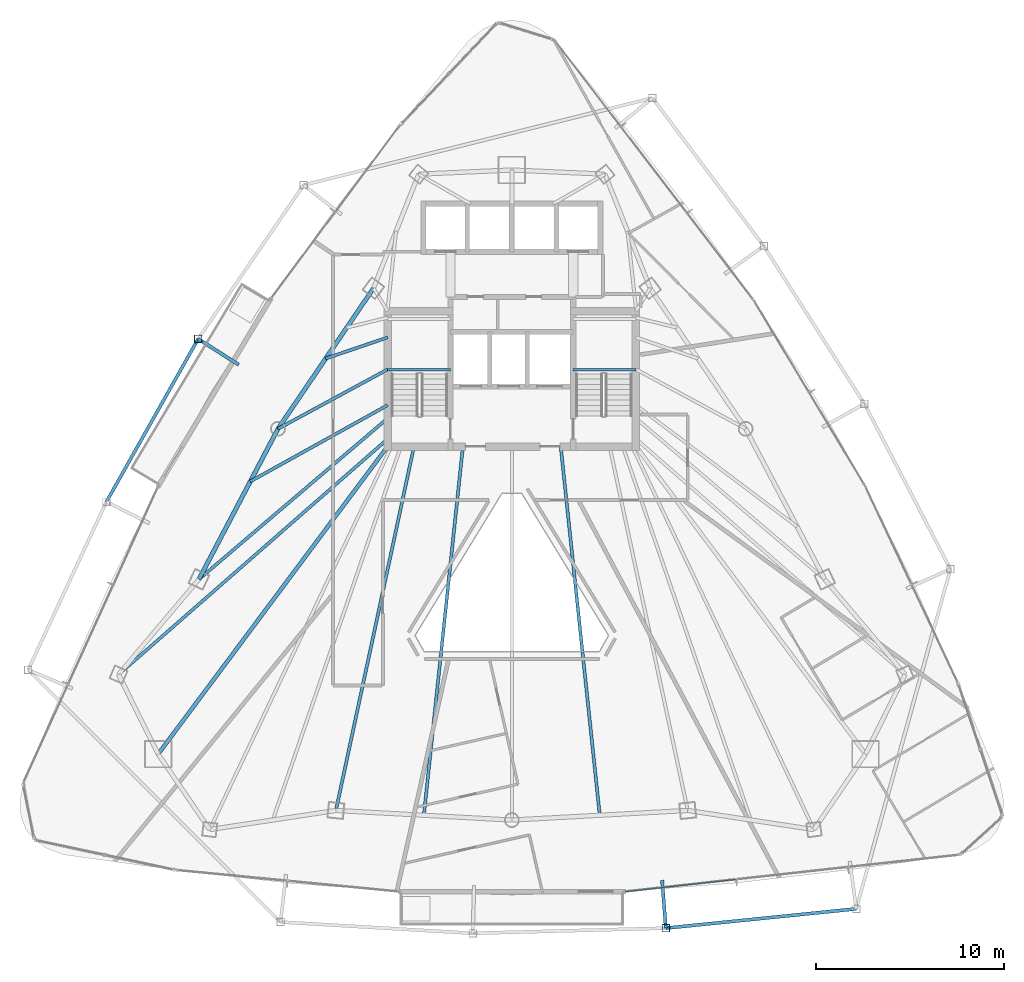
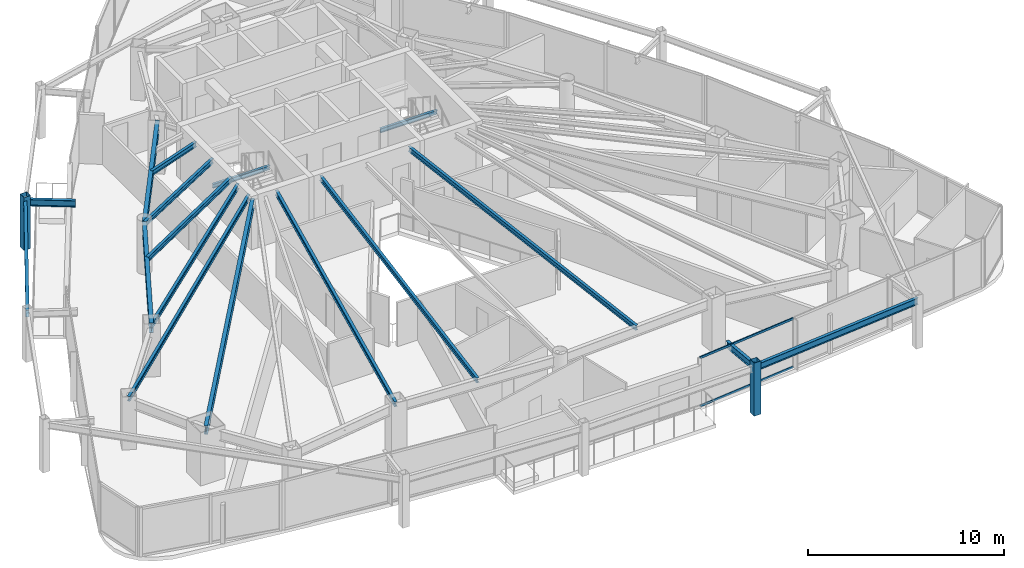
# One storey, part 11 of 33: 17 beams, 4 members, 1 element without a shape of its own.
"""IFC4 building model written with IfcOpenShell, lengths in metres."""

from ifc_helpers import new_model, si_unit, direction, frame, origin, origin_2d, place, context, subcontext, project, spatial, hollow_rectangle, i_section, extrude, material, layer, layer_set, material_profile, profile_set, type_object, element, aggregate, save


model = new_model("IFC4")

# Units and contexts
model_context = context("Model", 3, precision=1e-05, world=origin(), true_north=direction((0.0, 1.0)))
body_context = subcontext(model_context, "Body", "Model", "MODEL_VIEW")
ifc_project = project(units=[si_unit("LENGTHUNIT", "METRE"), si_unit("AREAUNIT", "SQUARE_METRE"), si_unit("VOLUMEUNIT", "CUBIC_METRE"), si_unit("PLANEANGLEUNIT", "RADIAN"), si_unit("MASSUNIT", "GRAM", prefix="KILO")], contexts=[model_context])

# Site, building, storey
site_placement = place(None, origin())
site = spatial("IfcSite", under=ifc_project, at=site_placement, CompositionType="ELEMENT")
building_placement = place(site_placement, origin())
building = spatial("IfcBuilding", under=site, at=building_placement, Name="Orvanel Arch Residences", CompositionType="ELEMENT")
storey_placement = place(building_placement, frame((0.0, 0.0, 119.89990234375)))
storey = spatial("IfcBuildingStorey", under=building, at=storey_placement, Name="L33", CompositionType="ELEMENT", Elevation=119.89990234375)

# Beams
ifc_material_1 = material(Name="Structural steel AS/NZS 3679.1 Grade 300 (300 MPa)", Category="steel")
ifc_material_profile_1 = material_profile(ifc_material_1, i_section(OverallWidth=0.208984375, OverallDepth=0.532958984375, WebThickness=0.01025390625, FlangeThickness=0.015625, at=origin_2d()), Name="530UB92.4")
ifc_profile_set_1 = profile_set([ifc_material_profile_1], Name="Structural steel AS/NZS 3679.1 Grade 300 (300 MPa)")
beam_type_1 = type_object("IfcBeamType", Name="BG-530UB", PredefinedType="BEAM", material=ifc_profile_set_1)
beam_1_placement = place(storey_placement, frame((26.375, 26.675048828125, 2.794189453125), z_axis=(-0.597893733742, -0.801575375839, 0.0), x_axis=(0.801575375839, -0.597893733742, 0.0)))
element("IfcBeam", 1, at=beam_1_placement, inside=storey, type_object=beam_type_1, Name="L33 South-West Radial Girder", PredefinedType="BEAM", context=body_context, shape_type="SweptSolid", body=[
    extrude(i_section(OverallWidth=0.208984375, OverallDepth=0.532958984375, WebThickness=0.01025390625, FlangeThickness=0.015625, at=origin_2d()), origin(), (0.0, 0.0, 1.0), 20.36474609375),
])
ifc_material_profile_2 = material_profile(ifc_material_1, i_section(OverallWidth=0.14599609375, OverallDepth=0.251953125, WebThickness=0.006103515625, FlangeThickness=0.008544921875, at=origin_2d()), Name="250UB31.4")
ifc_profile_set_2 = profile_set([ifc_material_profile_2], Name="Structural steel AS/NZS 3679.1 Grade 300 (300 MPa)")
beam_type_2 = type_object("IfcBeamType", Name="BJ-250UB", PredefinedType="JOIST", material=ifc_profile_set_2)
for number, where, z_axis, x_axis, name in (
    (2, (26.39990234375, 30.780029296875, 1.32421875), (1.0, 0.0, 0.0), (0.0, 1.0, 0.0), "L33 ST-1 Half-Landing Support Beam 1.1"),
    (3, (36.25, 30.780029296875, 1.32421875), (1.0, 0.0, 0.0), (0.0, 1.0, 0.0), "L33 ST-2 Half-Landing Support Beam 1.1"),
):
    element("IfcBeam", number, at=place(storey_placement, frame(where, z_axis=z_axis, x_axis=x_axis)), inside=storey, type_object=beam_type_2, Name=name, PredefinedType="JOIST", context=body_context, shape_type="SweptSolid", body=[
        extrude(i_section(OverallWidth=0.14599609375, OverallDepth=0.251953125, WebThickness=0.006103515625, FlangeThickness=0.008544921875, at=origin_2d()), origin(), (0.0, 0.0, 1.0), 3.35009765625),
    ])
ifc_material_profile_3 = material_profile(ifc_material_1, i_section(OverallWidth=0.1650390625, OverallDepth=0.303955078125, WebThickness=0.006103515625, FlangeThickness=0.01025390625, at=origin_2d()), Name="310UB40.4")
ifc_profile_set_3 = profile_set([ifc_material_profile_3], Name="Structural steel AS/NZS 3679.1 Grade 300 (300 MPa)")
beam_type_3 = type_object("IfcBeamType", Name="BJ-310UB", PredefinedType="JOIST", material=ifc_profile_set_3)
beam_2_placement = place(storey_placement, frame((26.39990234375, 30.800048828125, 2.908203125), z_axis=(-0.87925534649, -0.476350748576, 0.0), x_axis=(0.476350748576, -0.87925534649, 0.0)))
element("IfcBeam", 4, at=beam_2_placement, inside=storey, type_object=beam_type_3, Name="L33 NW Wing Floor Joist", PredefinedType="JOIST", context=body_context, shape_type="SweptSolid", body=[
    extrude(i_section(OverallWidth=0.1650390625, OverallDepth=0.303955078125, WebThickness=0.006103515625, FlangeThickness=0.01025390625, at=origin_2d()), origin(), (0.0, 0.0, 1.0), 6.631591796875),
])
beam_3_placement = place(storey_placement, frame((26.39990234375, 28.199951171875, 2.908203125), z_axis=(-0.760821315761, -0.648961420644, 0.0), x_axis=(0.648961420644, -0.760821315761, 0.0)))
element("IfcBeam", 5, at=beam_3_placement, inside=storey, type_object=beam_type_3, Name="L33 W Wing Floor Joist", PredefinedType="JOIST", context=body_context, shape_type="SweptSolid", body=[
    extrude(i_section(OverallWidth=0.1650390625, OverallDepth=0.303955078125, WebThickness=0.006103515625, FlangeThickness=0.01025390625, at=origin_2d()), origin(), (0.0, 0.0, 1.0), 13.18701171875),
])
beam_4_placement = place(storey_placement, frame((27.800048828125, 26.699951171875, 2.908203125), z_axis=(-0.209808012425, -0.977742603103, 0.0), x_axis=(0.977742603103, -0.209808012425, 0.0)))
element("IfcBeam", 6, at=beam_4_placement, inside=storey, type_object=beam_type_3, Name="L33 SW Wing Floor Joist", PredefinedType="JOIST", context=body_context, shape_type="SweptSolid", body=[
    extrude(i_section(OverallWidth=0.1650390625, OverallDepth=0.303955078125, WebThickness=0.006103515625, FlangeThickness=0.01025390625, at=origin_2d()), origin(), (0.0, 0.0, 1.0), 19.785400390625),
])
beam_5_placement = place(storey_placement, frame((26.39990234375, 32.5, 2.908203125), z_axis=(-0.946441958332, -0.322873999431, 0.0), x_axis=(0.322873999431, -0.946441958332, 0.0)))
element("IfcBeam", 7, at=beam_5_placement, inside=storey, type_object=beam_type_3, Name="L33 WNW Wing Floor Joist", PredefinedType="JOIST", context=body_context, shape_type="SweptSolid", body=[
    extrude(i_section(OverallWidth=0.1650390625, OverallDepth=0.303955078125, WebThickness=0.006103515625, FlangeThickness=0.01025390625, at=origin_2d()), origin(), (0.0, 0.0, 1.0), 3.478271484375),
])
for number, where, z_axis, x_axis, name in (
    (8, (30.39990234375, 26.699951171875, 2.908203125), (-0.105277340935, -0.994442900063, 0.0), (0.994442900063, -0.105277340935, 0.0), "L33 WSW2 Wing Floor Joist"),
    (9, (35.60009765625, 26.699951171875, 2.908203125), (0.105277340935, -0.994442900063, 0.0), (0.994442900063, 0.105277340935, 0.0), "L33 ESE2 Wing Floor Joist"),
):
    element("IfcBeam", number, at=place(storey_placement, frame(where, z_axis=z_axis, x_axis=x_axis)), inside=storey, type_object=beam_type_3, Name=name, PredefinedType="JOIST", context=body_context, shape_type="SweptSolid", body=[
        extrude(i_section(OverallWidth=0.1650390625, OverallDepth=0.303955078125, WebThickness=0.006103515625, FlangeThickness=0.01025390625, at=origin_2d()), origin(), (0.0, 0.0, 1.0), 19.70947265625),
    ])
beam_6_placement = place(storey_placement, frame((26.39990234375, 27.10009765625, 2.908203125), z_axis=(-0.752493154183, -0.658600070534, 0.0), x_axis=(0.658600070534, -0.752493154183, 0.0)))
element("IfcBeam", 10, at=beam_6_placement, inside=storey, type_object=beam_type_3, Name="L33 MW Wing Floor Joist", PredefinedType="JOIST", context=body_context, shape_type="SweptSolid", body=[
    extrude(i_section(OverallWidth=0.1650390625, OverallDepth=0.303955078125, WebThickness=0.006103515625, FlangeThickness=0.01025390625, at=origin_2d()), origin(), (0.0, 0.0, 1.0), 19.010009765625),
])
beam_7_placement = place(storey_placement, frame((26.39990234375, 28.89990234375, 2.908203125), z_axis=(-0.87404697606, -0.485841418202, 0.0), x_axis=(0.485841418202, -0.87404697606, 0.0)))
element("IfcBeam", 11, at=beam_7_placement, inside=storey, type_object=beam_type_3, Name="L33 CTW Wing Floor Joist", PredefinedType="JOIST", context=body_context, shape_type="SweptSolid", body=[
    extrude(i_section(OverallWidth=0.1650390625, OverallDepth=0.303955078125, WebThickness=0.006103515625, FlangeThickness=0.01025390625, at=origin_2d()), origin(), (0.0, 0.0, 1.0), 8.354248046875),
])
ifc_material_profile_4 = material_profile(ifc_material_1, i_section(OverallWidth=0.177978515625, OverallDepth=0.406005859375, WebThickness=0.0078125, FlangeThickness=0.0126953125, at=origin_2d()), Name="410UB59.7")
ifc_profile_set_4 = profile_set([ifc_material_profile_4], Name="Structural steel AS/NZS 3679.1 Grade 300 (300 MPa)")
beam_type_4 = type_object("IfcBeamType", Name="OB-410UB-EXT", PredefinedType="SPANDREL", material=ifc_profile_set_4)
beam_8_placement = place(storey_placement, frame((18.47705078125, 31.048095703125, 2.857177734375), z_axis=(-0.842745723153, 0.53831184838, 0.0), x_axis=(-0.53831184838, -0.842745723153, 0.0)))
element("IfcBeam", 12, at=beam_8_placement, inside=storey, type_object=beam_type_4, Name="L33 Outer Frame Radial Tie Beam 02", PredefinedType="SPANDREL", context=body_context, shape_type="SweptSolid", body=[
    extrude(i_section(OverallWidth=0.177978515625, OverallDepth=0.406005859375, WebThickness=0.0078125, FlangeThickness=0.0126953125, at=origin_2d()), origin(), (0.0, 0.0, 1.0), 2.55029296875),
])
beam_9_placement = place(storey_placement, frame((16.327880859375, 32.4208984375, 2.857177734375), z_axis=(-0.49060744728, -0.871380704786, 0.0), x_axis=(0.871380704786, -0.49060744728, 0.0)))
element("IfcBeam", 13, at=beam_9_placement, inside=storey, type_object=beam_type_4, Name="L33 Outer Perimeter Floor Ring Beam 02", PredefinedType="SPANDREL", context=body_context, shape_type="SweptSolid", body=[
    extrude(i_section(OverallWidth=0.177978515625, OverallDepth=0.406005859375, WebThickness=0.0078125, FlangeThickness=0.0126953125, at=origin_2d()), origin(), (0.0, 0.0, 1.0), 9.942626953125),
])
beam_10_placement = place(storey_placement, frame((40.989990234375, 3.64111328125, 2.857177734375), z_axis=(0.077274963911, -0.997009819386, 0.0), x_axis=(0.997009819386, 0.077274963911, 0.0)))
element("IfcBeam", 14, at=beam_10_placement, inside=storey, type_object=beam_type_4, Name="L33 Outer Frame Radial Tie Beam 07", PredefinedType="SPANDREL", context=body_context, shape_type="SweptSolid", body=[
    extrude(i_section(OverallWidth=0.177978515625, OverallDepth=0.406005859375, WebThickness=0.0078125, FlangeThickness=0.0126953125, at=origin_2d()), origin(), (0.0, 0.0, 1.0), 2.549560546875),
])
beam_11_placement = place(storey_placement, frame((41.18701171875, 1.09912109375, 2.857177734375), z_axis=(0.994903249647, 0.100834140256, 0.0), x_axis=(-0.100834140256, 0.994903249647, 0.0)))
element("IfcBeam", 15, at=beam_11_placement, inside=storey, type_object=beam_type_4, Name="L33 Outer Perimeter Floor Ring Beam 07", PredefinedType="SPANDREL", context=body_context, shape_type="SweptSolid", body=[
    extrude(i_section(OverallWidth=0.177978515625, OverallDepth=0.406005859375, WebThickness=0.0078125, FlangeThickness=0.0126953125, at=origin_2d()), origin(), (0.0, 0.0, 1.0), 10.173828125),
])
ifc_material_profile_5 = material_profile(ifc_material_1, i_section(OverallWidth=0.22900390625, OverallDepth=0.612060546875, WebThickness=0.011962890625, FlangeThickness=0.01953125, at=origin_2d()), Name="610UB125")
ifc_profile_set_5 = profile_set([ifc_material_profile_5], Name="Structural steel AS/NZS 3679.1 Grade 300 (300 MPa)")
beam_type_5 = type_object("IfcBeamType", Name="SP-610UB", PredefinedType="SPANDREL", material=ifc_profile_set_5)
beam_12_placement = place(storey_placement, frame((25.64794921875, 35.113037109375, 2.754150390625), z_axis=(-0.562154793153, -0.827032035978, 0.0), x_axis=(0.827032035978, -0.562154793153, 0.0)))
element("IfcBeam", 16, at=beam_12_placement, inside=storey, type_object=beam_type_5, Name="L33 Perimeter Spandrel Beam 17", PredefinedType="SPANDREL", context=body_context, shape_type="SweptSolid", body=[
    extrude(i_section(OverallWidth=0.22900390625, OverallDepth=0.612060546875, WebThickness=0.011962890625, FlangeThickness=0.01953125, at=origin_2d()), origin(), (0.0, 0.0, 1.0), 9.03466796875),
])
beam_13_placement = place(storey_placement, frame((20.569091796875, 27.64111328125, 2.754150390625), z_axis=(-0.465064762793, -0.885276660942, 0.0), x_axis=(0.885276660942, -0.465064762793, 0.0)))
element("IfcBeam", 17, at=beam_13_placement, inside=storey, type_object=beam_type_5, Name="L33 Perimeter Spandrel Beam 18", PredefinedType="SPANDREL", context=body_context, shape_type="SweptSolid", body=[
    extrude(i_section(OverallWidth=0.22900390625, OverallDepth=0.612060546875, WebThickness=0.011962890625, FlangeThickness=0.01953125, at=origin_2d()), origin(), (0.0, 0.0, 1.0), 9.03564453125),
])

# Members
ifc_material_2 = material(Name="Structural steel AS/NZS 1163 C450L0 (Grade 450)", Category="steel")
ifc_material_profile_6 = material_profile(ifc_material_2, hollow_rectangle(XDim=0.39990234375, YDim=0.39990234375, WallThickness=0.01611328125, at=origin_2d()), Name="SHS400x400x16")
ifc_profile_set_6 = profile_set([ifc_material_profile_6], Name="Structural steel AS/NZS 1163 C450L0 (Grade 450)")
member_type_1 = type_object("IfcMemberType", Name="ST-400SHS-EXT", PredefinedType="STRUT", material=ifc_profile_set_6)
for number, where, z_axis, x_axis, name in (
    (18, (16.327880859375, 32.4208984375, 0.0), (0.0, 0.0, 1.0), (1.0, 0.0, 0.0), "L33 Outer Perimeter Frame Post 02"),
    (19, (41.18701171875, 1.09912109375, 0.0), (0.0, 0.0, 1.0), (1.0, 0.0, 0.0), "L33 Outer Perimeter Frame Post 07"),
):
    element("IfcMember", number, at=place(storey_placement, frame(where, z_axis=z_axis, x_axis=x_axis)), inside=storey, type_object=member_type_1, Name=name, PredefinedType="STRUT", context=body_context, shape_type="SweptSolid", body=[
        extrude(hollow_rectangle(XDim=0.39990234375, YDim=0.39990234375, WallThickness=0.01611328125, at=origin_2d()), origin(), (0.0, 0.0, 1.0), 3.300048828125),
    ])

# Curtain wall, members
ifc_material_3 = material(Name="Bronze-anodised aluminium AA6063-T6", Category="aluminium")
ifc_layer = layer(ifc_material_3, 0.179931640625)
ifc_layer_set = layer_set([ifc_layer], Name="Bronze-anodised aluminium AA6063-T6")
curtain_wall_type = type_object("IfcCurtainWallType", Name="CW3-MID-SYS", PredefinedType="NOTDEFINED", material=ifc_layer_set)
curtain_wall_placement = place(storey_placement, origin())
curtain_wall = element("IfcCurtainWall", 20, at=curtain_wall_placement, inside=storey, type_object=curtain_wall_type, Name="L33 CW3-MID-SYS Unitised Curtain Wall", PredefinedType="NOTDEFINED")
ifc_material_profile_7 = material_profile(ifc_material_3, hollow_rectangle(XDim=0.06005859375, YDim=0.135009765625, WallThickness=0.00390625, at=origin_2d()), Name="ALU135x60x4")
ifc_profile_set_7 = profile_set([ifc_material_profile_7], Name="Bronze-anodised aluminium AA6063-T6")
member_type_2 = type_object("IfcMemberType", Name="TRN-135x60", PredefinedType="USERDEFINED", material=ifc_profile_set_7)
member_1_placement = place(storey_placement, frame((39.048583984375, 3.042724609375, 0.030029296875), z_axis=(0.993998710271, 0.109391791187, 0.0), x_axis=(-0.109391791187, 0.993998710271, 0.0)))
member_1 = element("IfcMember", 21, at=member_1_placement, type_object=member_type_2, Name="CW-S3 transom 1.1", ObjectType="TRANSOM", PredefinedType="USERDEFINED", context=body_context, shape_type="SweptSolid", body=[
    extrude(hollow_rectangle(XDim=0.06005859375, YDim=0.135009765625, WallThickness=0.00390625, at=origin_2d()), origin(), (0.0, 0.0, 1.0), 5.876220703125),
])
member_2_placement = place(storey_placement, frame((39.048583984375, 3.042724609375, 3.030029296875), z_axis=(0.993998710271, 0.109391791187, 0.0), x_axis=(-0.109391791187, 0.993998710271, 0.0)))
member_2 = element("IfcMember", 22, at=member_2_placement, type_object=member_type_2, Name="CW-S3 transom 1.2", ObjectType="TRANSOM", PredefinedType="USERDEFINED", context=body_context, shape_type="SweptSolid", body=[
    extrude(hollow_rectangle(XDim=0.06005859375, YDim=0.135009765625, WallThickness=0.00390625, at=origin_2d()), origin(), (0.0, 0.0, 1.0), 5.876220703125),
])
aggregate(curtain_wall, [member_1, member_2])

save(model, "model.ifc")
